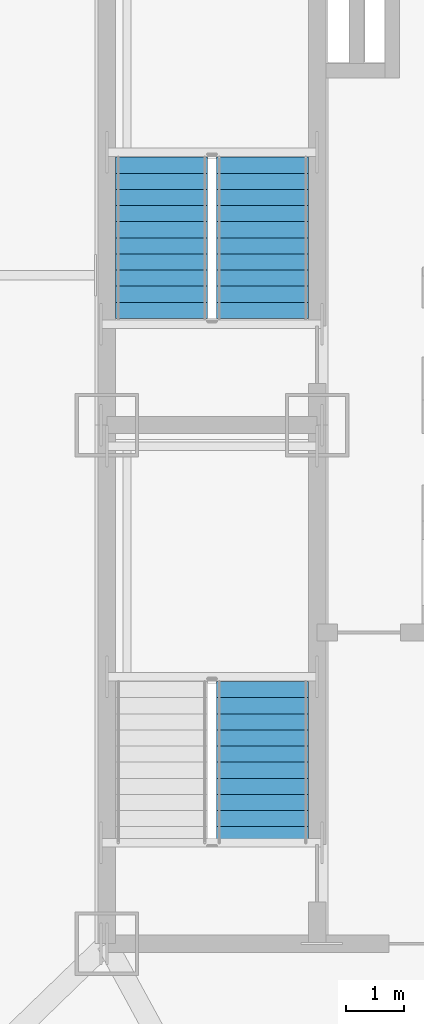
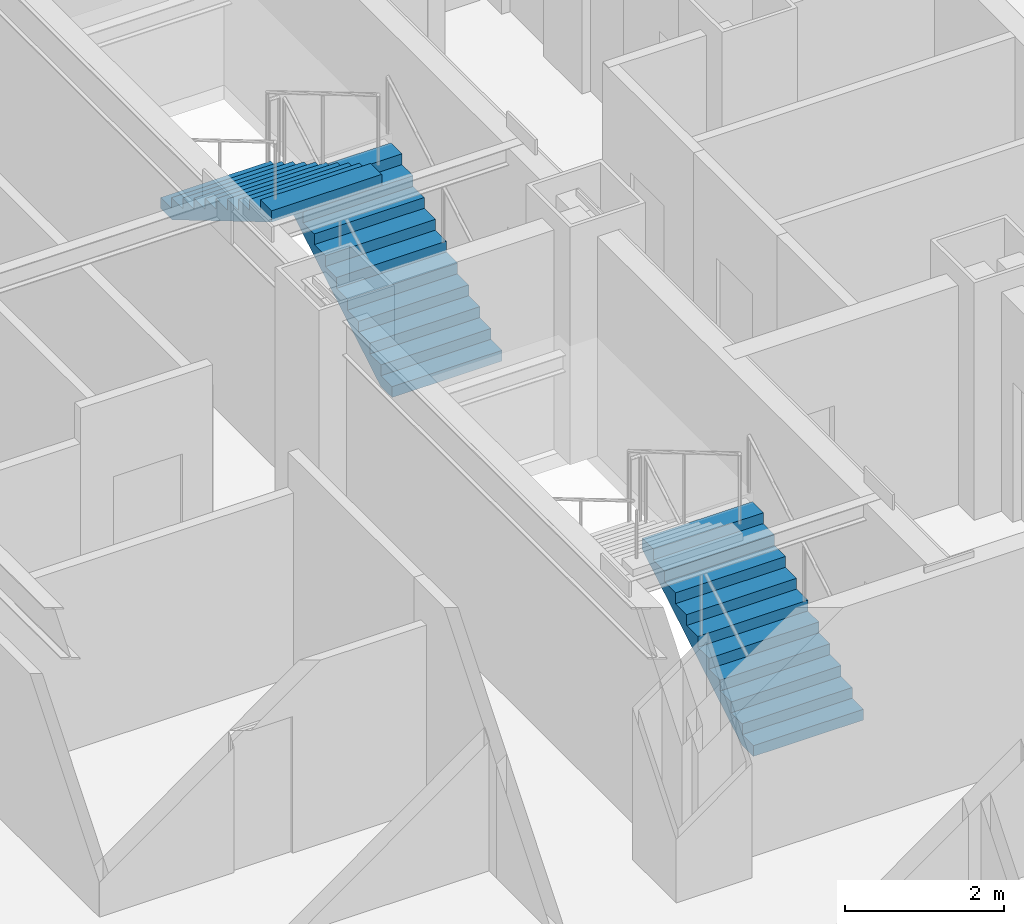
# One storey, part 18 of 20: 3 stair flights, 2 elements without a shape of their own.
"""IFC4 building model written with IfcOpenShell, lengths in metres."""

from ifc_helpers import new_model, si_unit, direction, frame, origin, place, context, subcontext, project, spatial, polyline, outline, extrude, material, type_object, element, aggregate, save


model = new_model("IFC4")

# Units and contexts
model_context = context("Model", 3, precision=1e-05, world=origin(), true_north=direction((0.0, 1.0)))
body_context = subcontext(model_context, "Body", "Model", "MODEL_VIEW")
ifc_project = project(units=[si_unit("LENGTHUNIT", "METRE"), si_unit("AREAUNIT", "SQUARE_METRE"), si_unit("VOLUMEUNIT", "CUBIC_METRE"), si_unit("PLANEANGLEUNIT", "RADIAN"), si_unit("MASSUNIT", "GRAM", prefix="KILO")], contexts=[model_context])

# Site, building, storey
site_placement = place(None, origin())
site = spatial("IfcSite", under=ifc_project, at=site_placement, CompositionType="ELEMENT")
building_placement = place(site_placement, origin())
building = spatial("IfcBuilding", under=site, at=building_placement, Name="Khamvora Tower", CompositionType="ELEMENT")
storey_placement = place(building_placement, frame((0.0, 0.0, 203.35009765625)))
storey = spatial("IfcBuildingStorey", under=building, at=storey_placement, Name="L52", CompositionType="ELEMENT", Elevation=203.35009765625)

# Stair, stair flight
ifc_material = material(Name="Concrete C40/50", Category="concrete")
stair_type_1 = type_object("IfcStairType", Name="STR-ST-01", PredefinedType="HALF_TURN_STAIR", material=ifc_material)
stair_1_placement = place(storey_placement, origin())
stair_1 = element("IfcStair", 1, at=stair_1_placement, inside=storey, type_object=stair_type_1, Name="L52 South Tower Exit Stair ST-01", PredefinedType="HALF_TURN_STAIR")
stair_flight_type_1 = type_object("IfcStairFlightType", Name="STF-ST-01", PredefinedType="STRAIGHT", material=ifc_material)
stair_flight_1_placement = place(storey_placement, frame((31.699951171875, 20.75, 0.0), z_axis=(0.0, 0.0, 1.0), x_axis=(0.0, 1.0, 0.0)))
stair_flight_1 = element("IfcStairFlight", 2, at=stair_flight_1_placement, type_object=stair_flight_type_1, Name="ST-01 flight 1", NumberOfRisers=11, NumberOfTreads=10, PredefinedType="STRAIGHT", RiserHeight=0.165909091, TreadLength=0.28, context=body_context, shape_type="SweptSolid", body=[
    extrude(outline(polyline([(0.0, 0.0), (0.0, 0.166015625), (0.280029296875, 0.166015625), (0.280029296875, 0.331787109375), (0.56005859375, 0.331787109375), (0.56005859375, 0.497802734375), (0.840087890625, 0.497802734375), (0.840087890625, 0.66357421875), (1.1201171875, 0.66357421875), (1.1201171875, 0.82958984375), (1.39990234375, 0.82958984375), (1.39990234375, 0.995361328125), (1.679931640625, 0.995361328125), (1.679931640625, 1.161376953125), (1.9599609375, 1.161376953125), (1.9599609375, 1.327392578125), (2.239990234375, 1.327392578125), (2.239990234375, 1.4931640625), (2.52001953125, 1.4931640625), (2.52001953125, 1.6591796875), (2.800048828125, 1.6591796875), (2.800048828125, 1.824951171875), (2.800048828125, 1.48486328125), (0.2939453125, 0.0), (0.0, 0.0)])), frame((0.0, 0.800048828125, 0.0), z_axis=(0.0, -1.0, 0.0), x_axis=(1.0, 0.0, 0.0)), (0.0, 0.0, 1.0), 1.60009765625),
])
aggregate(stair_1, [stair_flight_1])

# Stair, stair flights
stair_type_2 = type_object("IfcStairType", Name="STR-ST-02", PredefinedType="HALF_TURN_STAIR", material=ifc_material)
stair_2_placement = place(storey_placement, origin())
stair_2 = element("IfcStair", 3, at=stair_2_placement, inside=storey, type_object=stair_type_2, Name="L52 North Tower Exit Stair ST-02", PredefinedType="HALF_TURN_STAIR")
stair_flight_type_2 = type_object("IfcStairFlightType", Name="STF-ST-02", PredefinedType="STRAIGHT", material=ifc_material)
stair_flight_2_placement = place(storey_placement, frame((31.699951171875, 29.85009765625, 0.0), z_axis=(0.0, 0.0, 1.0), x_axis=(0.0, 1.0, 0.0)))
stair_flight_2 = element("IfcStairFlight", 4, at=stair_flight_2_placement, type_object=stair_flight_type_2, Name="ST-02 flight 1", NumberOfRisers=11, NumberOfTreads=10, PredefinedType="STRAIGHT", RiserHeight=0.165909091, TreadLength=0.28, context=body_context, shape_type="SweptSolid", body=[
    extrude(outline(polyline([(0.0, 0.0), (0.0, 0.166015625), (0.280029296875, 0.166015625), (0.280029296875, 0.331787109375), (0.56005859375, 0.331787109375), (0.56005859375, 0.497802734375), (0.840087890625, 0.497802734375), (0.840087890625, 0.66357421875), (1.1201171875, 0.66357421875), (1.1201171875, 0.82958984375), (1.39990234375, 0.82958984375), (1.39990234375, 0.995361328125), (1.679931640625, 0.995361328125), (1.679931640625, 1.161376953125), (1.9599609375, 1.161376953125), (1.9599609375, 1.327392578125), (2.239990234375, 1.327392578125), (2.239990234375, 1.4931640625), (2.52001953125, 1.4931640625), (2.52001953125, 1.6591796875), (2.800048828125, 1.6591796875), (2.800048828125, 1.824951171875), (2.800048828125, 1.48486328125), (0.2939453125, 0.0), (0.0, 0.0)])), frame((0.0, 0.800048828125, 0.0), z_axis=(0.0, -1.0, 0.0), x_axis=(1.0, 0.0, 0.0)), (0.0, 0.0, 1.0), 1.60009765625),
])
stair_flight_3_placement = place(storey_placement, frame((29.949951171875, 32.64990234375, 1.824951171875), z_axis=(0.0, 0.0, 1.0), x_axis=(0.0, -1.0, 0.0)))
stair_flight_3 = element("IfcStairFlight", 5, at=stair_flight_3_placement, type_object=stair_flight_type_2, Name="ST-02 flight 2", NumberOfRisers=11, NumberOfTreads=10, PredefinedType="STRAIGHT", RiserHeight=0.165909091, TreadLength=0.28, context=body_context, shape_type="SweptSolid", body=[
    extrude(outline(polyline([(0.0, 0.0), (0.0, 0.166015625), (0.280029296875, 0.166015625), (0.280029296875, 0.331787109375), (0.56005859375, 0.331787109375), (0.56005859375, 0.497802734375), (0.840087890625, 0.497802734375), (0.840087890625, 0.66357421875), (1.1201171875, 0.66357421875), (1.1201171875, 0.82958984375), (1.39990234375, 0.82958984375), (1.39990234375, 0.995361328125), (1.679931640625, 0.995361328125), (1.679931640625, 1.161376953125), (1.9599609375, 1.161376953125), (1.9599609375, 1.327392578125), (2.239990234375, 1.327392578125), (2.239990234375, 1.4931640625), (2.52001953125, 1.4931640625), (2.52001953125, 1.6591796875), (2.800048828125, 1.6591796875), (2.800048828125, 1.824951171875), (2.800048828125, 1.48486328125), (0.2939453125, 0.0), (0.0, 0.0)])), frame((0.0, 0.800048828125, 0.0), z_axis=(0.0, -1.0, 0.0), x_axis=(1.0, 0.0, 0.0)), (0.0, 0.0, 1.0), 1.60009765625),
])
aggregate(stair_2, [stair_flight_2, stair_flight_3])

save(model, "model.ifc")
